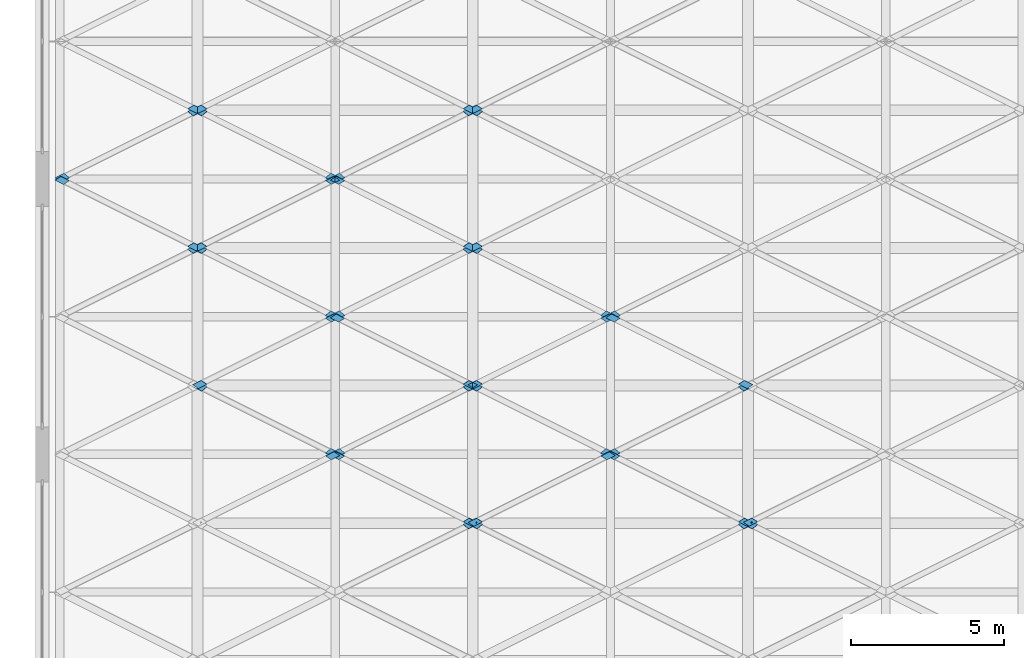
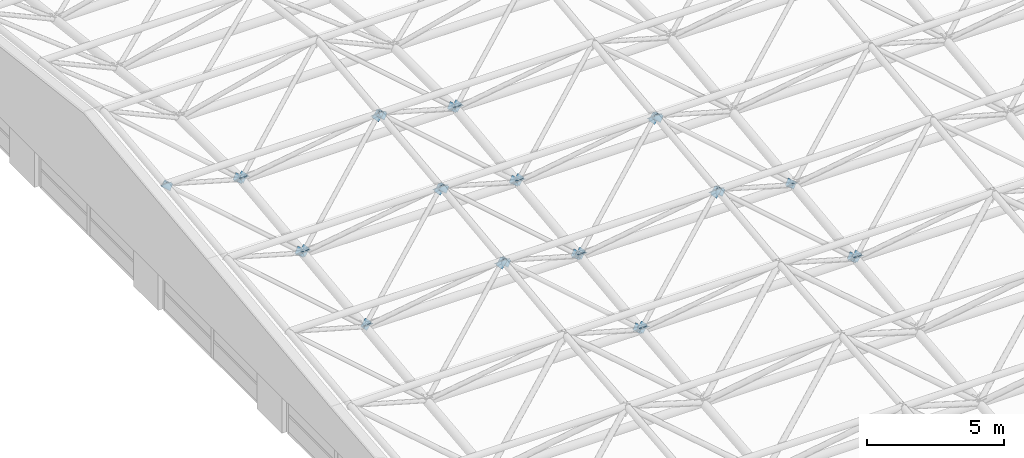
# One storey, part 29 of 53: 54 discrete accessories.
"""IFC4 building model written with IfcOpenShell, lengths in metres."""

import ifcopenshell
import ifcopenshell.guid

model = None  # the IFC model being written
_history = None  # IfcOwnerHistory: only IFC2X3 demands one
_inside = {}  # id of a spatial element -> (the spatial element, [elements in it])
_under = {}  # id of a project, library or spatial element -> (it, [spatial elements below it])
_declared = {}  # id of a project -> (the project, [libraries it declares])
_typed = {}  # id of a type object -> (the type object, [elements of that type])
_made_of = {}  # id of a material, layer set ... -> (it, [elements and type objects made of it])


def new_model(schema):
    """Start an empty IFC model of exactly this schema.

    Asked for "IFC4X3", IfcOpenShell would pick the latest addendum, in which some entities
    have other attributes; the version numbers below select the first issue.
    IFC2X3 requires an IfcOwnerHistory on every rooted entity: one is made here for all.
    """
    global model, _history
    if schema == "IFC4X3":
        model = ifcopenshell.file(schema_version=(4, 3, 0, 0))
    else:
        model = ifcopenshell.file(schema=schema)
    _inside.clear()
    _under.clear()
    _declared.clear()
    _typed.clear()
    _made_of.clear()
    _history = None
    if model.schema == "IFC2X3":
        org = make("IfcOrganization", Name="unknown")
        user = make(
            "IfcPersonAndOrganization",
            ThePerson=make("IfcPerson", FamilyName="unknown"),
            TheOrganization=org,
        )
        app = make(
            "IfcApplication",
            ApplicationDeveloper=org,
            Version="unknown",
            ApplicationFullName="unknown",
            ApplicationIdentifier="unknown",
        )
        _history = make(
            "IfcOwnerHistory",
            OwningUser=user,
            OwningApplication=app,
            ChangeAction="ADDED",
            CreationDate=0,
        )
    return model


def make(cls, **values):
    """One entity of the class cls with the attributes given. An attribute that is None is left unset."""
    return model.create_entity(
        cls, **{name: value for name, value in values.items() if value is not None}
    )


def rooted(cls, **values):
    """An entity with a GlobalId (a new one), such as an element, a storey or a relation."""
    return make(cls, GlobalId=ifcopenshell.guid.new(), OwnerHistory=_history, **values)


def si_unit(unit_type, name, prefix=None):
    """IfcSIUnit, for example si_unit("LENGTHUNIT", "METRE", prefix="MILLI")."""
    return make("IfcSIUnit", UnitType=unit_type, Prefix=prefix, Name=name)


def assignment(units):
    """IfcUnitAssignment: the units of a project."""
    return None if units is None else make("IfcUnitAssignment", Units=units)


def point(xyz):
    """IfcCartesianPoint."""
    return None if xyz is None else make("IfcCartesianPoint", Coordinates=xyz)


def direction(xyz):
    """IfcDirection."""
    return None if xyz is None else make("IfcDirection", DirectionRatios=xyz)


def frame(location, z_axis=None, x_axis=None):
    """IfcAxis2Placement3D, a coordinate frame: its origin and axes. An axis left out is left unset."""
    return make(
        "IfcAxis2Placement3D",
        Location=point(location),
        Axis=direction(z_axis),
        RefDirection=direction(x_axis),
    )


def origin():
    """The frame at (0, 0, 0) with its axes left unset."""
    return frame((0.0, 0.0, 0.0))


def place(relative_to, where):
    """IfcLocalPlacement: puts the frame where relative to a parent placement (None: the world)."""
    return make(
        "IfcLocalPlacement", PlacementRelTo=relative_to, RelativePlacement=where
    )


def context(
    kind, dimensions, precision=None, world=None, true_north=None, identifier=None
):
    """IfcGeometricRepresentationContext, for example the 3D "Model" context."""
    return make(
        "IfcGeometricRepresentationContext",
        ContextIdentifier=identifier,
        ContextType=kind,
        CoordinateSpaceDimension=dimensions,
        Precision=precision,
        WorldCoordinateSystem=world,
        TrueNorth=true_north,
    )


def subcontext(parent, identifier, kind, view, scale=None):
    """IfcGeometricRepresentationSubContext, for example "Body" below "Model"."""
    return make(
        "IfcGeometricRepresentationSubContext",
        ContextIdentifier=identifier,
        ContextType=kind,
        ParentContext=parent,
        TargetScale=scale,
        TargetView=view,
    )


def project(units=None, contexts=None):
    """IfcProject with its units and contexts."""
    return rooted(
        "IfcProject",
        Name="project",
        RepresentationContexts=contexts,
        UnitsInContext=assignment(units),
    )


def spatial(cls, under=None, at=None, **own):
    """A site, building, storey or space (cls), placed at a placement, below another one or the project."""
    s = rooted(cls, ObjectPlacement=at, **own)
    if under is not None:
        _under.setdefault(under.id(), (under, []))[1].append(s)
    return s


def polyline(points):
    """IfcPolyline through the points."""
    return make("IfcPolyline", Points=[point(p) for p in points])


def outline(outer, holes=None, kind="AREA"):
    """IfcArbitraryClosedProfileDef: a profile drawn as a closed curve; with holes, ...WithVoids."""
    if holes is None:
        return make("IfcArbitraryClosedProfileDef", ProfileType=kind, OuterCurve=outer)
    return make(
        "IfcArbitraryProfileDefWithVoids",
        ProfileType=kind,
        OuterCurve=outer,
        InnerCurves=holes,
    )


def extrude(swept, where, along, depth):
    """IfcExtrudedAreaSolid: the profile swept, set in the frame where, extruded along a direction by depth."""
    return make(
        "IfcExtrudedAreaSolid",
        SweptArea=swept,
        Position=where,
        ExtrudedDirection=direction(along),
        Depth=depth,
    )


def shape(context_of_items, identifier, shape_type, items):
    """IfcShapeRepresentation: the items that make up one representation, for example the "Body"."""
    return make(
        "IfcShapeRepresentation",
        ContextOfItems=context_of_items,
        RepresentationIdentifier=identifier,
        RepresentationType=shape_type,
        Items=items,
    )


def material(Name=None, Category=None):
    """IfcMaterial."""
    return make("IfcMaterial", Name=Name, Category=Category)


def layer(
    of_material, thickness, ventilated=None, Name=None, Category=None, Priority=None
):
    """IfcMaterialLayer: one layer of a wall or slab, of a material (None: an air gap)."""
    return make(
        "IfcMaterialLayer",
        Material=of_material,
        LayerThickness=thickness,
        IsVentilated=ventilated,
        Name=Name,
        Category=Category,
        Priority=Priority,
    )


def layer_set(layers, Name=None):
    """IfcMaterialLayerSet."""
    return make("IfcMaterialLayerSet", MaterialLayers=layers, LayerSetName=Name)


def made_of(thing, what):
    """Note that an element or type object is made of a material, layer set ...; save() writes the relation."""
    if what is not None:
        _made_of.setdefault(what.id(), (what, []))[1].append(thing)
    return thing


def type_object(cls, material=None, **own):
    """A type object (cls), such as IfcWallType, which elements share."""
    return made_of(rooted(cls, **own), material)


def element(
    cls,
    number,
    at=None,
    inside=None,
    cuts=None,
    type_object=None,
    material=None,
    context=None,
    identifier="Body",
    shape_type=None,
    held_by="IfcProductDefinitionShape",
    body=None,
    shapes=None,
    **own,
):
    """One element of the class cls, such as IfcWall. Its Tag is "e" and its number.

    at: its placement. inside: the storey or other place that contains it. cuts: it is an
    opening in that element (IfcRelVoidsElement). A single representation is given by context,
    identifier, shape_type and body (its items); several are given by shapes. held_by: the class
    of the entity that holds the representations. save() writes the other relations.
    """
    e = rooted(cls, Tag="e%d" % number, ObjectPlacement=at, **own)
    if body is not None:
        shapes = [shape(context, identifier, shape_type, body)]
    if shapes is not None:
        e.Representation = make(held_by, Representations=shapes)
    if inside is not None:
        _inside.setdefault(inside.id(), (inside, []))[1].append(e)
    if cuts is not None:
        rooted(
            "IfcRelVoidsElement", RelatingBuildingElement=cuts, RelatedOpeningElement=e
        )
    if type_object is not None:
        _typed.setdefault(type_object.id(), (type_object, []))[1].append(e)
    return made_of(e, material)


def aggregate(whole, parts):
    """IfcRelAggregates: a whole, such as a stair, and the parts it consists of."""
    return rooted("IfcRelAggregates", RelatingObject=whole, RelatedObjects=parts)


def save(model, path):
    """Write the relations noted so far, then the file.

    IfcRelAggregates (storeys below a building ...), IfcRelContainedInSpatialStructure (elements
    in a storey), IfcRelDefinesByType, IfcRelAssociatesMaterial and IfcRelDeclares: one each for
    every whole, place, type object, material and project.
    """
    for whole, parts in _under.values():
        aggregate(whole, parts)
    for where, things in _inside.values():
        rooted(
            "IfcRelContainedInSpatialStructure",
            RelatedElements=things,
            RelatingStructure=where,
        )
    for kind, things in _typed.values():
        rooted("IfcRelDefinesByType", RelatedObjects=things, RelatingType=kind)
    for what, things in _made_of.values():
        rooted("IfcRelAssociatesMaterial", RelatedObjects=things, RelatingMaterial=what)
    for by, libraries in _declared.values():
        rooted("IfcRelDeclares", RelatingContext=by, RelatedDefinitions=libraries)
    model.write(path)


model = new_model("IFC4")

# Units and contexts
model_context = context("Model", 3, precision=1e-05, world=origin(), true_north=direction((0.0, 1.0)))
body_context = subcontext(model_context, "Body", "Model", "MODEL_VIEW")
ifc_project = project(units=[si_unit("LENGTHUNIT", "METRE"), si_unit("AREAUNIT", "SQUARE_METRE"), si_unit("VOLUMEUNIT", "CUBIC_METRE"), si_unit("PLANEANGLEUNIT", "RADIAN"), si_unit("MASSUNIT", "GRAM", prefix="KILO")], contexts=[model_context])

# Site, building, storey
site_placement = place(None, origin())
site = spatial("IfcSite", under=ifc_project, at=site_placement, CompositionType="ELEMENT")
building_placement = place(site_placement, origin())
building = spatial("IfcBuilding", under=site, at=building_placement, Name="Aravalli Gate Trade Fair Centre", CompositionType="ELEMENT")
storey_placement = place(building_placement, frame((0.0, 0.0, 25.199951171875)))
storey = spatial("IfcBuildingStorey", under=building, at=storey_placement, Name="ROOF LEVEL 2", CompositionType="ELEMENT", Elevation=25.199951171875)

# Discrete accessories
ifc_material = material(Name="Steel E350", Category="steel")
ifc_layer = layer(ifc_material, 0.011962890625)
ifc_layer_set = layer_set([ifc_layer], Name="Steel E350")
discrete_accessory_type = type_object("IfcDiscreteAccessoryType", Name="Gusset plate 291 x 291 x 12", PredefinedType="USERDEFINED", material=ifc_layer_set)
for number, where, z_axis, x_axis, name in (
    (1, (19.181884765625, 61.713134765625, 0.479248046875), (0.000260921892, 0.770886805608, 0.636972106814), (0.786233024012, 0.393446097564, -0.476484837392), "Gusset plate Space frame web diagonal D2A end B"),
    (2, (28.181884765625, 61.713134765625, 0.479248046875), (0.000260921892, 0.770886805608, 0.636972106814), (0.786233024012, 0.393446097564, -0.476484837392), "Gusset plate Space frame web diagonal D2A end B"),
):
    element("IfcDiscreteAccessory", number, at=place(storey_placement, frame(where, z_axis=z_axis, x_axis=x_axis)), inside=storey, type_object=discrete_accessory_type, Name=name, ObjectType="GUSSET PLATE", PredefinedType="USERDEFINED", context=body_context, shape_type="SweptSolid", body=[
        extrude(outline(polyline([(0.0, 0.0), (0.3704496717105797, -1.3877787807814457e-17), (0.37041105616888137, -0.29044341854454775), (-0.00023056696357631745, -0.2902925567125407), (0.0, 0.0)])), origin(), (0.0, 0.0, -1.0), 0.011962890625),
    ])
discrete_accessory_1_placement = place(storey_placement, frame((15.138916015625, 64.191650390625, 3.477294921875), z_axis=(-6.9765199e-05, 0.771154883137, 0.636647580178), x_axis=(-0.786484474244, -0.393242254842, 0.476238071536)))
element("IfcDiscreteAccessory", 3, at=discrete_accessory_1_placement, inside=storey, type_object=discrete_accessory_type, Name="Gusset plate Space frame web diagonal D2A end A", ObjectType="GUSSET PLATE", PredefinedType="USERDEFINED", context=body_context, shape_type="SweptSolid", body=[
    extrude(outline(polyline([(0.0, 0.0), (0.37064165383501635, -1.3877787807814457e-17), (0.3706783195979393, 0.29059144692340316), (0.00022867857401766278, 0.2904406632211646), (0.0, 0.0)])), origin(), (0.0, 0.0, -1.0), 0.011962890625),
])
discrete_accessory_2_placement = place(storey_placement, frame((19.181884765625, 66.213134765625, 1.029052734375), z_axis=(-6.9765199e-05, 0.771154883137, 0.636647580178), x_axis=(0.786233023991, 0.393446013556, -0.476484906794)))
element("IfcDiscreteAccessory", 4, at=discrete_accessory_2_placement, inside=storey, type_object=discrete_accessory_type, Name="Gusset plate Space frame web diagonal D2A end B", ObjectType="GUSSET PLATE", PredefinedType="USERDEFINED", context=body_context, shape_type="SweptSolid", body=[
    extrude(outline(polyline([(0.0, 0.0), (0.37044967171058096, -2.7755575615628914e-17), (0.3702947268495056, -0.290591407927876), (-0.0003468962829482891, -0.29044054608337494), (0.0, 0.0)])), origin(), (0.0, 0.0, -1.0), 0.011962890625),
])
discrete_accessory_3_placement = place(storey_placement, frame((24.138916015625, 64.191650390625, 3.477294921875), z_axis=(-6.9765199e-05, 0.771154883137, 0.636647580178), x_axis=(-0.786484474244, -0.393242254842, 0.476238071536)))
element("IfcDiscreteAccessory", 5, at=discrete_accessory_3_placement, inside=storey, type_object=discrete_accessory_type, Name="Gusset plate Space frame web diagonal D2A end A", ObjectType="GUSSET PLATE", PredefinedType="USERDEFINED", context=body_context, shape_type="SweptSolid", body=[
    extrude(outline(polyline([(0.0, 0.0), (0.37064165383501635, -1.3877787807814457e-17), (0.3706783195979393, 0.29059144692340316), (0.00022867857401766278, 0.2904406632211646), (0.0, 0.0)])), origin(), (0.0, 0.0, -1.0), 0.011962890625),
])
discrete_accessory_4_placement = place(storey_placement, frame((28.181884765625, 66.213134765625, 1.029052734375), z_axis=(-6.9765199e-05, 0.771154883137, 0.636647580178), x_axis=(0.786233023991, 0.393446013556, -0.476484906794)))
element("IfcDiscreteAccessory", 6, at=discrete_accessory_4_placement, inside=storey, type_object=discrete_accessory_type, Name="Gusset plate Space frame web diagonal D2A end B", ObjectType="GUSSET PLATE", PredefinedType="USERDEFINED", context=body_context, shape_type="SweptSolid", body=[
    extrude(outline(polyline([(0.0, 0.0), (0.37044967171058096, -2.7755575615628914e-17), (0.3702947268495056, -0.290591407927876), (-0.0003468962829482891, -0.29044054608337494), (0.0, 0.0)])), origin(), (0.0, 0.0, -1.0), 0.011962890625),
])
for number, where, z_axis, x_axis, name in (
    (7, (19.638916015625, 61.567626953125, 0.6552734375), (-0.000260921892, 0.770886805608, 0.636972106814), (-0.786484474223, 0.393242170877, -0.476238140902), "Gusset plate Space frame web diagonal D2B end B"),
    (8, (28.638916015625, 61.567626953125, 0.6552734375), (-0.000260921892, 0.770886805608, 0.636972106814), (-0.786484474223, 0.393242170877, -0.476238140902), "Gusset plate Space frame web diagonal D2B end B"),
):
    element("IfcDiscreteAccessory", number, at=place(storey_placement, frame(where, z_axis=z_axis, x_axis=x_axis)), inside=storey, type_object=discrete_accessory_type, Name=name, ObjectType="GUSSET PLATE", PredefinedType="USERDEFINED", context=body_context, shape_type="SweptSolid", body=[
        extrude(outline(polyline([(0.0, 0.0), (0.37064165383501513, 1.3877787807814457e-17), (0.37056205053393565, -0.29044341020294784), (0.00011240951001027788, -0.2902926265131968), (0.0, 0.0)])), origin(), (0.0, 0.0, -1.0), 0.011962890625),
    ])
discrete_accessory_5_placement = place(storey_placement, frame((14.681884765625, 64.046142578125, 3.653564453125), z_axis=(6.9765199e-05, 0.771154883137, 0.636647580178), x_axis=(0.786233023991, -0.393446013556, 0.476484906794)))
element("IfcDiscreteAccessory", 9, at=discrete_accessory_5_placement, inside=storey, type_object=discrete_accessory_type, Name="Gusset plate Space frame web diagonal D2B end A", ObjectType="GUSSET PLATE", PredefinedType="USERDEFINED", context=body_context, shape_type="SweptSolid", body=[
    extrude(outline(polyline([(0.0, 0.0), (0.37044967171058096, 2.7755575615628914e-17), (0.3702947268495056, 0.290591407927876), (-0.0003468962829482891, 0.29044054608337494), (0.0, 0.0)])), origin(), (0.0, 0.0, -1.0), 0.011962890625),
])
discrete_accessory_6_placement = place(storey_placement, frame((10.638916015625, 66.067626953125, 1.205322265625), z_axis=(6.9765199e-05, 0.771154883137, 0.636647580178), x_axis=(-0.786484474244, 0.393242254842, -0.476238071536)))
element("IfcDiscreteAccessory", 10, at=discrete_accessory_6_placement, inside=storey, type_object=discrete_accessory_type, Name="Gusset plate Space frame web diagonal D2B end B", ObjectType="GUSSET PLATE", PredefinedType="USERDEFINED", context=body_context, shape_type="SweptSolid", body=[
    extrude(outline(polyline([(0.0, 0.0), (0.37064165383501635, 1.3877787807814457e-17), (0.3706783195979393, -0.29059144692340316), (0.00022867857401766278, -0.2904406632211646), (0.0, 0.0)])), origin(), (0.0, 0.0, -1.0), 0.011962890625),
])
discrete_accessory_7_placement = place(storey_placement, frame((23.681884765625, 64.046142578125, 3.653564453125), z_axis=(6.9765199e-05, 0.771154883137, 0.636647580178), x_axis=(0.786233023991, -0.393446013556, 0.476484906794)))
element("IfcDiscreteAccessory", 11, at=discrete_accessory_7_placement, inside=storey, type_object=discrete_accessory_type, Name="Gusset plate Space frame web diagonal D2B end A", ObjectType="GUSSET PLATE", PredefinedType="USERDEFINED", context=body_context, shape_type="SweptSolid", body=[
    extrude(outline(polyline([(0.0, 0.0), (0.37044967171058096, 2.7755575615628914e-17), (0.3702947268495056, 0.290591407927876), (-0.0003468962829482891, 0.29044054608337494), (0.0, 0.0)])), origin(), (0.0, 0.0, -1.0), 0.011962890625),
])
discrete_accessory_8_placement = place(storey_placement, frame((19.638916015625, 66.067626953125, 1.205322265625), z_axis=(6.9765199e-05, 0.771154883137, 0.636647580178), x_axis=(-0.786484474244, 0.393242254842, -0.476238071536)))
element("IfcDiscreteAccessory", 12, at=discrete_accessory_8_placement, inside=storey, type_object=discrete_accessory_type, Name="Gusset plate Space frame web diagonal D2B end B", ObjectType="GUSSET PLATE", PredefinedType="USERDEFINED", context=body_context, shape_type="SweptSolid", body=[
    extrude(outline(polyline([(0.0, 0.0), (0.37064165383501635, 1.3877787807814457e-17), (0.3706783195979393, -0.29059144692340316), (0.00022867857401766278, -0.2904406632211646), (0.0, 0.0)])), origin(), (0.0, 0.0, -1.0), 0.011962890625),
])
discrete_accessory_9_placement = place(storey_placement, frame((15.12158203125, 63.824462890625, 3.455078125), z_axis=(-5.9235462e-05, -0.824355565608, 0.566072343383), x_axis=(-0.74910175115, 0.37503400761, 0.546073309694)))
element("IfcDiscreteAccessory", 13, at=discrete_accessory_9_placement, inside=storey, type_object=discrete_accessory_type, Name="Gusset plate Space frame web diagonal D2C end A", ObjectType="GUSSET PLATE", PredefinedType="USERDEFINED", context=body_context, shape_type="SweptSolid", body=[
    extrude(outline(polyline([(0.0, 0.0), (0.37056099002046733, -1.3877787807814457e-17), (0.3708571273038952, -0.29037522366126584), (0.00024656979283793623, -0.29068772448272373), (0.0, 0.0)])), origin(), (0.0, 0.0, -1.0), 0.011962890625),
])
discrete_accessory_10_placement = place(storey_placement, frame((19.18603515625, 61.792236328125, 0.4970703125), z_axis=(-0.000338926475, -0.824215745649, 0.566275807141), x_axis=(0.749929468437, -0.374811008577, -0.545089442403)))
element("IfcDiscreteAccessory", 14, at=discrete_accessory_10_placement, inside=storey, type_object=discrete_accessory_type, Name="Gusset plate Space frame web diagonal D2C end B", ObjectType="GUSSET PLATE", PredefinedType="USERDEFINED", context=body_context, shape_type="SweptSolid", body=[
    extrude(outline(polyline([(0.0, 0.0), (0.3704775800363668, 1.3877787807814457e-17), (0.37054452148215117, 0.29037536695413646), (0.00011695121776518491, 0.29068780553250784), (0.0, 0.0)])), origin(), (0.0, 0.0, -1.0), 0.011962890625),
])
discrete_accessory_11_placement = place(storey_placement, frame((24.12158203125, 63.824462890625, 3.455078125), z_axis=(-5.9235462e-05, -0.824355565608, 0.566072343383), x_axis=(-0.74910175115, 0.37503400761, 0.546073309694)))
element("IfcDiscreteAccessory", 15, at=discrete_accessory_11_placement, inside=storey, type_object=discrete_accessory_type, Name="Gusset plate Space frame web diagonal D2C end A", ObjectType="GUSSET PLATE", PredefinedType="USERDEFINED", context=body_context, shape_type="SweptSolid", body=[
    extrude(outline(polyline([(0.0, 0.0), (0.37056099002046733, -1.3877787807814457e-17), (0.3708571273038952, -0.29037522366126584), (0.00024656979283793623, -0.29068772448272373), (0.0, 0.0)])), origin(), (0.0, 0.0, -1.0), 0.011962890625),
])
discrete_accessory_12_placement = place(storey_placement, frame((28.18603515625, 61.792236328125, 0.4970703125), z_axis=(-0.000338926475, -0.824215745649, 0.566275807141), x_axis=(0.749929468437, -0.374811008577, -0.545089442403)))
element("IfcDiscreteAccessory", 16, at=discrete_accessory_12_placement, inside=storey, type_object=discrete_accessory_type, Name="Gusset plate Space frame web diagonal D2C end B", ObjectType="GUSSET PLATE", PredefinedType="USERDEFINED", context=body_context, shape_type="SweptSolid", body=[
    extrude(outline(polyline([(0.0, 0.0), (0.3704775800363668, 1.3877787807814457e-17), (0.37054452148215117, 0.29037536695413646), (0.00011695121776518491, 0.29068780553250784), (0.0, 0.0)])), origin(), (0.0, 0.0, -1.0), 0.011962890625),
])
discrete_accessory_13_placement = place(storey_placement, frame((15.12158203125, 68.324462890625, 4.005126953125), z_axis=(-5.9235462e-05, -0.824355565608, 0.566072343383), x_axis=(-0.74937131646, 0.374861397834, 0.545821914622)))
element("IfcDiscreteAccessory", 17, at=discrete_accessory_13_placement, inside=storey, type_object=discrete_accessory_type, Name="Gusset plate Space frame web diagonal D2C end A", ObjectType="GUSSET PLATE", PredefinedType="USERDEFINED", context=body_context, shape_type="SweptSolid", body=[
    extrude(outline(polyline([(0.0, 0.0), (0.3704277020236978, 0.0), (0.37073891027907924, -0.290526143046557), (-5.001029550574798e-06, -0.29053697785674903), (0.0, 0.0)])), origin(), (0.0, 0.0, -1.0), 0.011962890625),
])
discrete_accessory_14_placement = place(storey_placement, frame((19.18603515625, 66.292236328125, 1.047119140625), z_axis=(-0.000356491483, -0.824386555112, 0.566027102411), x_axis=(0.749660046124, -0.374830119882, -0.545446786108)))
element("IfcDiscreteAccessory", 18, at=discrete_accessory_14_placement, inside=storey, type_object=discrete_accessory_type, Name="Gusset plate Space frame web diagonal D2C end B", ObjectType="GUSSET PLATE", PredefinedType="USERDEFINED", context=body_context, shape_type="SweptSolid", body=[
    extrude(outline(polyline([(0.0, 0.0), (0.37061069570280314, 0.0), (0.3704262257769532, 0.2905262593825685), (-1.4474536517566916e-06, 0.29068783726431885), (0.0, 0.0)])), origin(), (0.0, 0.0, -1.0), 0.011962890625),
])
discrete_accessory_15_placement = place(storey_placement, frame((24.12158203125, 68.324462890625, 4.005126953125), z_axis=(-5.9235462e-05, -0.824355565608, 0.566072343383), x_axis=(-0.74937131646, 0.374861397834, 0.545821914622)))
element("IfcDiscreteAccessory", 19, at=discrete_accessory_15_placement, inside=storey, type_object=discrete_accessory_type, Name="Gusset plate Space frame web diagonal D2C end A", ObjectType="GUSSET PLATE", PredefinedType="USERDEFINED", context=body_context, shape_type="SweptSolid", body=[
    extrude(outline(polyline([(0.0, 0.0), (0.3704277020236978, 0.0), (0.37073891027907924, -0.290526143046557), (-5.001029550574798e-06, -0.29053697785674903), (0.0, 0.0)])), origin(), (0.0, 0.0, -1.0), 0.011962890625),
])
discrete_accessory_16_placement = place(storey_placement, frame((28.18603515625, 66.292236328125, 1.047119140625), z_axis=(-0.000356491483, -0.824386555112, 0.566027102411), x_axis=(0.749660046124, -0.374830119882, -0.545446786108)))
element("IfcDiscreteAccessory", 20, at=discrete_accessory_16_placement, inside=storey, type_object=discrete_accessory_type, Name="Gusset plate Space frame web diagonal D2C end B", ObjectType="GUSSET PLATE", PredefinedType="USERDEFINED", context=body_context, shape_type="SweptSolid", body=[
    extrude(outline(polyline([(0.0, 0.0), (0.37061069570280314, 0.0), (0.3704262257769532, 0.2905262593825685), (-1.4474536517566916e-06, 0.29068783726431885), (0.0, 0.0)])), origin(), (0.0, 0.0, -1.0), 0.011962890625),
])
for number, where, z_axis, x_axis, name in (
    (21, (14.68603515625, 63.94775390625, 3.634765625), (5.9235462e-05, -0.824355565608, 0.566072343383), (0.749660070237, 0.374676343996, 0.545552395598), "Gusset plate Space frame web diagonal D2D end A"),
    (22, (23.68603515625, 63.94775390625, 3.634765625), (5.9235462e-05, -0.824355565608, 0.566072343383), (0.749660070237, 0.374676343996, 0.545552395598), "Gusset plate Space frame web diagonal D2D end A"),
):
    element("IfcDiscreteAccessory", number, at=place(storey_placement, frame(where, z_axis=z_axis, x_axis=x_axis)), inside=storey, type_object=discrete_accessory_type, Name=name, ObjectType="GUSSET PLATE", PredefinedType="USERDEFINED", context=body_context, shape_type="SweptSolid", body=[
        extrude(outline(polyline([(0.0, 0.0), (0.3706106892622231, -1.3877787807814457e-17), (0.3705593979521325, -0.2903753701380719), (-1.4603348369723879e-06, -0.29068782905287593), (0.0, 0.0)])), origin(), (0.0, 0.0, -1.0), 0.011962890625),
    ])
for number, where, z_axis, x_axis, name in (
    (23, (19.62158203125, 61.91552734375, 0.6767578125), (0.000338926475, -0.824215745649, 0.566275807141), (-0.74937124219, -0.375168906268, -0.545610697428), "Gusset plate Space frame web diagonal D2D end B"),
    (24, (28.62158203125, 61.91552734375, 0.6767578125), (0.000338926475, -0.824215745649, 0.566275807141), (-0.74937124219, -0.375168906268, -0.545610697428), "Gusset plate Space frame web diagonal D2D end B"),
):
    element("IfcDiscreteAccessory", number, at=place(storey_placement, frame(where, z_axis=z_axis, x_axis=x_axis)), inside=storey, type_object=discrete_accessory_type, Name=name, ObjectType="GUSSET PLATE", PredefinedType="USERDEFINED", context=body_context, shape_type="SweptSolid", body=[
        extrude(outline(polyline([(0.0, 0.0), (0.3704277020281311, 2.7755575615628914e-17), (0.37060567875441897, 0.29037532012757467), (0.00012823049953920862, 0.29068780077573153), (0.0, 0.0)])), origin(), (0.0, 0.0, -1.0), 0.011962890625),
    ])
discrete_accessory_17_placement = place(storey_placement, frame((14.68603515625, 68.44775390625, 4.1845703125), z_axis=(5.9235462e-05, -0.824355565608, 0.566072343383), x_axis=(0.749390667151, 0.374849001628, 0.545803860343)))
element("IfcDiscreteAccessory", 25, at=discrete_accessory_17_placement, inside=storey, type_object=discrete_accessory_type, Name="Gusset plate Space frame web diagonal D2D end A", ObjectType="GUSSET PLATE", PredefinedType="USERDEFINED", context=body_context, shape_type="SweptSolid", body=[
    extrude(outline(polyline([(0.0, 0.0), (0.37074391146695085, 0.0), (0.3704411936966931, -0.2905261520174016), (1.3491831181253189e-05, -0.2905369775865267), (0.0, 0.0)])), origin(), (0.0, 0.0, -1.0), 0.011962890625),
])
discrete_accessory_18_placement = place(storey_placement, frame((10.62158203125, 66.41552734375, 1.226806640625), z_axis=(0.000356491483, -0.824386555112, 0.566027102411), x_axis=(-0.749371292409, -0.375015088164, -0.54571636384)))
element("IfcDiscreteAccessory", 26, at=discrete_accessory_18_placement, inside=storey, type_object=discrete_accessory_type, Name="Gusset plate Space frame web diagonal D2D end B", ObjectType="GUSSET PLATE", PredefinedType="USERDEFINED", context=body_context, shape_type="SweptSolid", body=[
    extrude(outline(polyline([(0.0, 0.0), (0.3704277084701571, 1.3877787807814457e-17), (0.3707389038272042, 0.29052615127976134), (0.00012824338136119273, 0.2906878089792164), (0.0, 0.0)])), origin(), (0.0, 0.0, -1.0), 0.011962890625),
])
discrete_accessory_19_placement = place(storey_placement, frame((23.68603515625, 68.44775390625, 4.1845703125), z_axis=(5.9235462e-05, -0.824355565608, 0.566072343383), x_axis=(0.749390667151, 0.374849001628, 0.545803860343)))
element("IfcDiscreteAccessory", 27, at=discrete_accessory_19_placement, inside=storey, type_object=discrete_accessory_type, Name="Gusset plate Space frame web diagonal D2D end A", ObjectType="GUSSET PLATE", PredefinedType="USERDEFINED", context=body_context, shape_type="SweptSolid", body=[
    extrude(outline(polyline([(0.0, 0.0), (0.37074391146695085, 0.0), (0.3704411936966931, -0.2905261520174016), (1.3491831181253189e-05, -0.2905369775865267), (0.0, 0.0)])), origin(), (0.0, 0.0, -1.0), 0.011962890625),
])
discrete_accessory_20_placement = place(storey_placement, frame((19.62158203125, 66.41552734375, 1.226806640625), z_axis=(0.000356491483, -0.824386555112, 0.566027102411), x_axis=(-0.749371292409, -0.375015088164, -0.54571636384)))
element("IfcDiscreteAccessory", 28, at=discrete_accessory_20_placement, inside=storey, type_object=discrete_accessory_type, Name="Gusset plate Space frame web diagonal D2D end B", ObjectType="GUSSET PLATE", PredefinedType="USERDEFINED", context=body_context, shape_type="SweptSolid", body=[
    extrude(outline(polyline([(0.0, 0.0), (0.3704277084701571, 1.3877787807814457e-17), (0.3707389038272042, 0.29052615127976134), (0.00012824338136119273, 0.2906878089792164), (0.0, 0.0)])), origin(), (0.0, 0.0, -1.0), 0.011962890625),
])
discrete_accessory_21_placement = place(storey_placement, frame((10.181884765625, 70.713134765625, 1.574462890625), z_axis=(0.000589123978, 0.771792295466, 0.635874441689), x_axis=(0.785942550469, 0.392803472142, -0.477493182816)))
element("IfcDiscreteAccessory", 29, at=discrete_accessory_21_placement, inside=storey, type_object=discrete_accessory_type, Name="Gusset plate Space frame web diagonal D3A end B", ObjectType="GUSSET PLATE", PredefinedType="USERDEFINED", context=body_context, shape_type="SweptSolid", body=[
    extrude(outline(polyline([(0.0, 0.0), (0.3705866429803553, -2.7755575615628914e-17), (0.37039124031354775, -0.29046920151748473), (-7.882718272163303e-05, -0.29032116611826925), (0.0, 0.0)])), origin(), (0.0, 0.0, -1.0), 0.011962890625),
])
discrete_accessory_22_placement = place(storey_placement, frame((15.138671875, 68.69140625, 4.027099609375), z_axis=(0.000259688153, 0.77158167438, 0.636130216483), x_axis=(-0.786189750281, -0.392961505637, 0.476955901148)))
element("IfcDiscreteAccessory", 30, at=discrete_accessory_22_placement, inside=storey, type_object=discrete_accessory_type, Name="Gusset plate Space frame web diagonal D3A end A", ObjectType="GUSSET PLATE", PredefinedType="USERDEFINED", context=body_context, shape_type="SweptSolid", body=[
    extrude(outline(polyline([(0.0, 0.0), (0.37047009323158403, -1.3877787807814457e-17), (0.3706453255393415, 0.29059138113822636), (7.929444017017173e-05, 0.29046925152010133), (0.0, 0.0)])), origin(), (0.0, 0.0, -1.0), 0.011962890625),
])
discrete_accessory_23_placement = place(storey_placement, frame((19.181884765625, 70.713134765625, 1.574462890625), z_axis=(0.000589123978, 0.771792295466, 0.635874441689), x_axis=(0.785942550469, 0.392803472142, -0.477493182816)))
element("IfcDiscreteAccessory", 31, at=discrete_accessory_23_placement, inside=storey, type_object=discrete_accessory_type, Name="Gusset plate Space frame web diagonal D3A end B", ObjectType="GUSSET PLATE", PredefinedType="USERDEFINED", context=body_context, shape_type="SweptSolid", body=[
    extrude(outline(polyline([(0.0, 0.0), (0.3705866429803553, -2.7755575615628914e-17), (0.37039124031354775, -0.29046920151748473), (-7.882718272163303e-05, -0.29032116611826925), (0.0, 0.0)])), origin(), (0.0, 0.0, -1.0), 0.011962890625),
])
for number, where, z_axis, x_axis, name in (
    (32, (24.138671875, 68.69140625, 4.027099609375), (0.000259688153, 0.77158167438, 0.636130216483), (-0.786189750281, -0.392961505637, 0.476955901148), "Gusset plate Space frame web diagonal D3A end A"),
    (33, (6.138671875, 73.19140625, 4.567138671875), (0.000259688153, 0.77158167438, 0.636130216483), (-0.786189750281, -0.392961505637, 0.476955901148), "Gusset plate Space frame web diagonal D3A end A"),
):
    element("IfcDiscreteAccessory", number, at=place(storey_placement, frame(where, z_axis=z_axis, x_axis=x_axis)), inside=storey, type_object=discrete_accessory_type, Name=name, ObjectType="GUSSET PLATE", PredefinedType="USERDEFINED", context=body_context, shape_type="SweptSolid", body=[
        extrude(outline(polyline([(0.0, 0.0), (0.37047009323158403, -1.3877787807814457e-17), (0.3706453255393415, 0.29059138113822636), (7.929444017017173e-05, 0.29046925152010133), (0.0, 0.0)])), origin(), (0.0, 0.0, -1.0), 0.011962890625),
    ])
discrete_accessory_24_placement = place(storey_placement, frame((10.181884765625, 75.213134765625, 2.1142578125), z_axis=(0.000259222443, 0.771843687699, 0.635812279342), x_axis=(0.78618965885, 0.392765328311, -0.477117613586)))
element("IfcDiscreteAccessory", 34, at=discrete_accessory_24_placement, inside=storey, type_object=discrete_accessory_type, Name="Gusset plate Space frame web diagonal D3A end B", ObjectType="GUSSET PLATE", PredefinedType="USERDEFINED", context=body_context, shape_type="SweptSolid", body=[
    extrude(outline(polyline([(0.0, 0.0), (0.3704701052045229, -2.7755575615628914e-17), (0.3703907868210381, -0.2904692667840814), (-7.931838348480824e-05, -0.2904692667840814), (0.0, 0.0)])), origin(), (0.0, 0.0, -1.0), 0.011962890625),
])
discrete_accessory_25_placement = place(storey_placement, frame((15.138671875, 73.19140625, 4.567138671875), z_axis=(0.000259688153, 0.77158167438, 0.636130216483), x_axis=(-0.786189750281, -0.392961505637, 0.476955901148)))
element("IfcDiscreteAccessory", 35, at=discrete_accessory_25_placement, inside=storey, type_object=discrete_accessory_type, Name="Gusset plate Space frame web diagonal D3A end A", ObjectType="GUSSET PLATE", PredefinedType="USERDEFINED", context=body_context, shape_type="SweptSolid", body=[
    extrude(outline(polyline([(0.0, 0.0), (0.37047009323158403, -1.3877787807814457e-17), (0.3706453255393415, 0.29059138113822636), (7.929444017017173e-05, 0.29046925152010133), (0.0, 0.0)])), origin(), (0.0, 0.0, -1.0), 0.011962890625),
])
discrete_accessory_26_placement = place(storey_placement, frame((19.181884765625, 75.213134765625, 2.1142578125), z_axis=(0.000259222443, 0.771843687699, 0.635812279342), x_axis=(0.78618965885, 0.392765328311, -0.477117613586)))
element("IfcDiscreteAccessory", 36, at=discrete_accessory_26_placement, inside=storey, type_object=discrete_accessory_type, Name="Gusset plate Space frame web diagonal D3A end B", ObjectType="GUSSET PLATE", PredefinedType="USERDEFINED", context=body_context, shape_type="SweptSolid", body=[
    extrude(outline(polyline([(0.0, 0.0), (0.3704701052045229, -2.7755575615628914e-17), (0.3703907868210381, -0.2904692667840814), (-7.931838348480824e-05, -0.2904692667840814), (0.0, 0.0)])), origin(), (0.0, 0.0, -1.0), 0.011962890625),
])
discrete_accessory_27_placement = place(storey_placement, frame((14.681884765625, 68.546142578125, 4.203369140625), z_axis=(-0.000259688153, 0.77158167438, 0.636130216483), x_axis=(0.785986034617, -0.393126352276, 0.477155765483)))
element("IfcDiscreteAccessory", 37, at=discrete_accessory_27_placement, inside=storey, type_object=discrete_accessory_type, Name="Gusset plate Space frame web diagonal D3B end A", ObjectType="GUSSET PLATE", PredefinedType="USERDEFINED", context=body_context, shape_type="SweptSolid", body=[
    extrude(outline(polyline([(0.0, 0.0), (0.3705660512246577, 1.3877787807814457e-17), (0.3702950470274762, 0.2905913076038385), (-0.0001750260838329909, 0.2904692096111498), (0.0, 0.0)])), origin(), (0.0, 0.0, -1.0), 0.011962890625),
])
discrete_accessory_28_placement = place(storey_placement, frame((10.638671875, 70.56787109375, 1.75048828125), z_axis=(-0.000589123978, 0.771792295466, 0.635874441689), x_axis=(-0.786189552673, 0.392603629975, -0.477250853324)))
element("IfcDiscreteAccessory", 38, at=discrete_accessory_28_placement, inside=storey, type_object=discrete_accessory_type, Name="Gusset plate Space frame web diagonal D3B end B", ObjectType="GUSSET PLATE", PredefinedType="USERDEFINED", context=body_context, shape_type="SweptSolid", body=[
    extrude(outline(polyline([(0.0, 0.0), (0.3704700970728539, 1.3877787807814457e-17), (0.37054943172141785, -0.29046925640835186), (-3.7181673048419794e-05, -0.2903211744387922), (0.0, 0.0)])), origin(), (0.0, 0.0, -1.0), 0.011962890625),
])
discrete_accessory_29_placement = place(storey_placement, frame((23.681884765625, 68.546142578125, 4.203369140625), z_axis=(-0.000259688153, 0.77158167438, 0.636130216483), x_axis=(0.785986034617, -0.393126352276, 0.477155765483)))
element("IfcDiscreteAccessory", 39, at=discrete_accessory_29_placement, inside=storey, type_object=discrete_accessory_type, Name="Gusset plate Space frame web diagonal D3B end A", ObjectType="GUSSET PLATE", PredefinedType="USERDEFINED", context=body_context, shape_type="SweptSolid", body=[
    extrude(outline(polyline([(0.0, 0.0), (0.3705660512246577, 1.3877787807814457e-17), (0.3702950470274762, 0.2905913076038385), (-0.0001750260838329909, 0.2904692096111498), (0.0, 0.0)])), origin(), (0.0, 0.0, -1.0), 0.011962890625),
])
discrete_accessory_30_placement = place(storey_placement, frame((19.638671875, 70.56787109375, 1.75048828125), z_axis=(-0.000589123978, 0.771792295466, 0.635874441689), x_axis=(-0.786189552673, 0.392603629975, -0.477250853324)))
element("IfcDiscreteAccessory", 40, at=discrete_accessory_30_placement, inside=storey, type_object=discrete_accessory_type, Name="Gusset plate Space frame web diagonal D3B end B", ObjectType="GUSSET PLATE", PredefinedType="USERDEFINED", context=body_context, shape_type="SweptSolid", body=[
    extrude(outline(polyline([(0.0, 0.0), (0.3704700970728539, 1.3877787807814457e-17), (0.37054943172141785, -0.29046925640835186), (-3.7181673048419794e-05, -0.2903211744387922), (0.0, 0.0)])), origin(), (0.0, 0.0, -1.0), 0.011962890625),
])
discrete_accessory_31_placement = place(storey_placement, frame((14.681884765625, 73.046142578125, 4.743408203125), z_axis=(-0.000259688153, 0.77158167438, 0.636130216483), x_axis=(0.785986034617, -0.393126352276, 0.477155765483)))
element("IfcDiscreteAccessory", 41, at=discrete_accessory_31_placement, inside=storey, type_object=discrete_accessory_type, Name="Gusset plate Space frame web diagonal D3B end A", ObjectType="GUSSET PLATE", PredefinedType="USERDEFINED", context=body_context, shape_type="SweptSolid", body=[
    extrude(outline(polyline([(0.0, 0.0), (0.3705660512246577, 1.3877787807814457e-17), (0.3702950470274762, 0.2905913076038385), (-0.0001750260838329909, 0.2904692096111498), (0.0, 0.0)])), origin(), (0.0, 0.0, -1.0), 0.011962890625),
])
for number, where, z_axis, x_axis, name in (
    (42, (10.638671875, 75.06787109375, 2.29052734375), (-0.000259222443, 0.771843687699, 0.635812279342), (-0.78618965885, 0.392765328311, -0.477117613586), "Gusset plate Space frame web diagonal D3B end B"),
    (43, (19.638671875, 75.06787109375, 2.29052734375), (-0.000259222443, 0.771843687699, 0.635812279342), (-0.78618965885, 0.392765328311, -0.477117613586), "Gusset plate Space frame web diagonal D3B end B"),
):
    element("IfcDiscreteAccessory", number, at=place(storey_placement, frame(where, z_axis=z_axis, x_axis=x_axis)), inside=storey, type_object=discrete_accessory_type, Name=name, ObjectType="GUSSET PLATE", PredefinedType="USERDEFINED", context=body_context, shape_type="SweptSolid", body=[
        extrude(outline(polyline([(0.0, 0.0), (0.3704701052045229, 2.7755575615628914e-17), (0.3705494235880077, -0.29046926678408136), (7.931838348480824e-05, -0.2904692667840814), (0.0, 0.0)])), origin(), (0.0, 0.0, -1.0), 0.011962890625),
    ])
discrete_accessory_32_placement = place(storey_placement, frame((6.121826171875, 72.824462890625, 4.54541015625), z_axis=(0.000136804439, -0.823750482353, 0.566952488404), x_axis=(-0.749929392198, 0.374964696099, 0.54498383774)))
element("IfcDiscreteAccessory", 44, at=discrete_accessory_32_placement, inside=storey, type_object=discrete_accessory_type, Name="Gusset plate Space frame web diagonal D3C end A", ObjectType="GUSSET PLATE", PredefinedType="USERDEFINED", context=body_context, shape_type="SweptSolid", body=[
    extrude(outline(polyline([(0.0, 0.0), (0.37047758647752815, -1.3877787807814457e-17), (0.37050220203048867, -0.2904791260615137), (2.461555296055795e-05, -0.2904791260615137), (0.0, 0.0)])), origin(), (0.0, 0.0, -1.0), 0.011962890625),
])
discrete_accessory_33_placement = place(storey_placement, frame((10.18603515625, 70.792236328125, 1.592041015625), z_axis=(0.000136804439, -0.823750482353, 0.566952488404), x_axis=(0.749929392198, -0.374964696099, -0.54498383774)))
element("IfcDiscreteAccessory", 45, at=discrete_accessory_33_placement, inside=storey, type_object=discrete_accessory_type, Name="Gusset plate Space frame web diagonal D3C end B", ObjectType="GUSSET PLATE", PredefinedType="USERDEFINED", context=body_context, shape_type="SweptSolid", body=[
    extrude(outline(polyline([(0.0, 0.0), (0.37047758647752815, -1.3877787807814457e-17), (0.37045297092456764, 0.2904791260615137), (-2.461555296055795e-05, 0.2904791260615137), (0.0, 0.0)])), origin(), (0.0, 0.0, -1.0), 0.011962890625),
])
discrete_accessory_34_placement = place(storey_placement, frame((15.121826171875, 72.824462890625, 4.54541015625), z_axis=(0.000136804439, -0.823750482353, 0.566952488404), x_axis=(-0.749929392198, 0.374964696099, 0.54498383774)))
element("IfcDiscreteAccessory", 46, at=discrete_accessory_34_placement, inside=storey, type_object=discrete_accessory_type, Name="Gusset plate Space frame web diagonal D3C end A", ObjectType="GUSSET PLATE", PredefinedType="USERDEFINED", context=body_context, shape_type="SweptSolid", body=[
    extrude(outline(polyline([(0.0, 0.0), (0.37047758647752815, -1.3877787807814457e-17), (0.37050220203048867, -0.2904791260615137), (2.461555296055795e-05, -0.2904791260615137), (0.0, 0.0)])), origin(), (0.0, 0.0, -1.0), 0.011962890625),
])
for number, where, z_axis, x_axis, name in (
    (47, (19.18603515625, 70.792236328125, 1.592041015625), (0.000136804439, -0.823750482353, 0.566952488404), (0.749929392198, -0.374964696099, -0.54498383774), "Gusset plate Space frame web diagonal D3C end B"),
    (48, (10.18603515625, 75.292236328125, 2.132080078125), (0.000136804439, -0.823750482353, 0.566952488404), (0.749929392198, -0.374964696099, -0.54498383774), "Gusset plate Space frame web diagonal D3C end B"),
    (49, (19.18603515625, 75.292236328125, 2.132080078125), (0.000136804439, -0.823750482353, 0.566952488404), (0.749929392198, -0.374964696099, -0.54498383774), "Gusset plate Space frame web diagonal D3C end B"),
):
    element("IfcDiscreteAccessory", number, at=place(storey_placement, frame(where, z_axis=z_axis, x_axis=x_axis)), inside=storey, type_object=discrete_accessory_type, Name=name, ObjectType="GUSSET PLATE", PredefinedType="USERDEFINED", context=body_context, shape_type="SweptSolid", body=[
        extrude(outline(polyline([(0.0, 0.0), (0.37047758647752815, -1.3877787807814457e-17), (0.37045297092456764, 0.2904791260615137), (-2.461555296055795e-05, 0.2904791260615137), (0.0, 0.0)])), origin(), (0.0, 0.0, -1.0), 0.011962890625),
    ])
discrete_accessory_35_placement = place(storey_placement, frame((14.68603515625, 72.947998046875, 4.724853515625), z_axis=(-0.000136804439, -0.823750482353, 0.566952488404), x_axis=(0.749929392198, 0.374964696099, 0.54498383774)))
element("IfcDiscreteAccessory", 50, at=discrete_accessory_35_placement, inside=storey, type_object=discrete_accessory_type, Name="Gusset plate Space frame web diagonal D3D end A", ObjectType="GUSSET PLATE", PredefinedType="USERDEFINED", context=body_context, shape_type="SweptSolid", body=[
    extrude(outline(polyline([(0.0, 0.0), (0.37047758647752815, 1.3877787807814457e-17), (0.37045297092456764, -0.2904791260615137), (-2.461555296055795e-05, -0.2904791260615137), (0.0, 0.0)])), origin(), (0.0, 0.0, -1.0), 0.011962890625),
])
for number, where, z_axis, x_axis, name in (
    (51, (10.621826171875, 70.915771484375, 1.771484375), (-0.000136804439, -0.823750482353, 0.566952488404), (-0.749929392198, -0.374964696099, -0.54498383774), "Gusset plate Space frame web diagonal D3D end B"),
    (52, (19.621826171875, 70.915771484375, 1.771484375), (-0.000136804439, -0.823750482353, 0.566952488404), (-0.749929392198, -0.374964696099, -0.54498383774), "Gusset plate Space frame web diagonal D3D end B"),
    (53, (10.621826171875, 75.415771484375, 2.3115234375), (-0.000136804439, -0.823750482353, 0.566952488404), (-0.749929392198, -0.374964696099, -0.54498383774), "Gusset plate Space frame web diagonal D3D end B"),
    (54, (19.621826171875, 75.415771484375, 2.3115234375), (-0.000136804439, -0.823750482353, 0.566952488404), (-0.749929392198, -0.374964696099, -0.54498383774), "Gusset plate Space frame web diagonal D3D end B"),
):
    element("IfcDiscreteAccessory", number, at=place(storey_placement, frame(where, z_axis=z_axis, x_axis=x_axis)), inside=storey, type_object=discrete_accessory_type, Name=name, ObjectType="GUSSET PLATE", PredefinedType="USERDEFINED", context=body_context, shape_type="SweptSolid", body=[
        extrude(outline(polyline([(0.0, 0.0), (0.37047758647752815, 1.3877787807814457e-17), (0.37050220203048867, 0.2904791260615137), (2.461555296055795e-05, 0.2904791260615137), (0.0, 0.0)])), origin(), (0.0, 0.0, -1.0), 0.011962890625),
    ])

save(model, "model.ifc")
